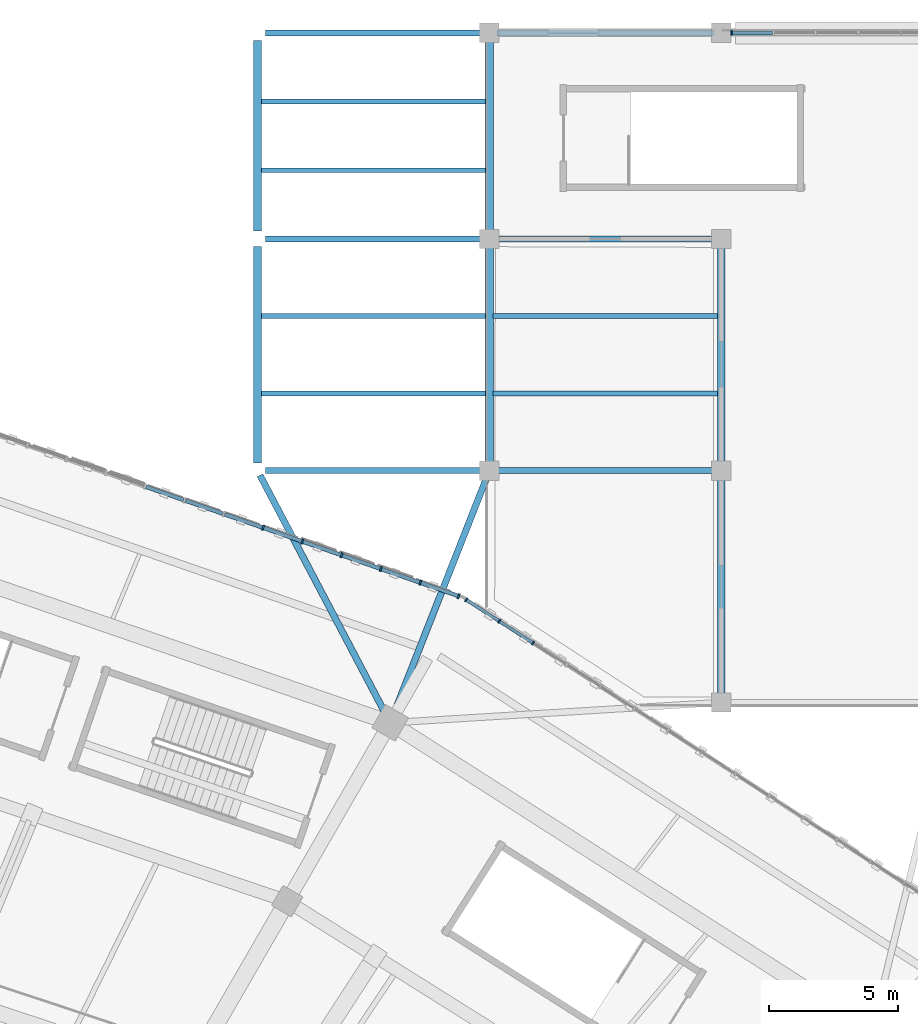
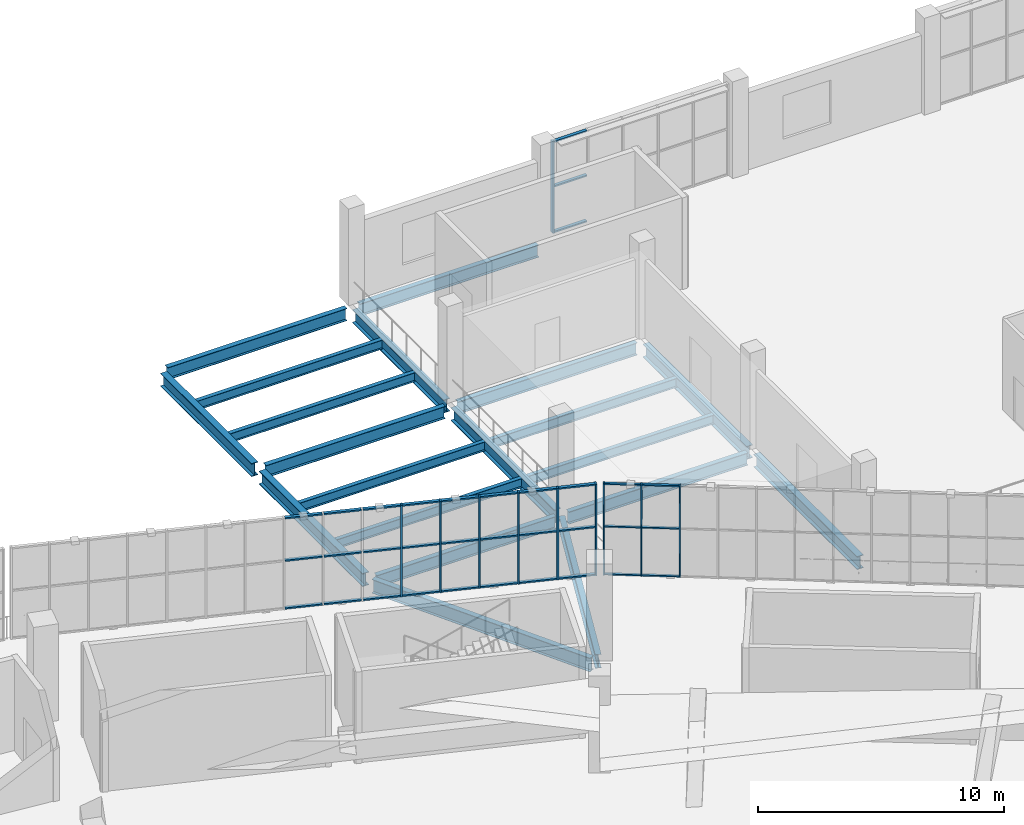
# One storey, part 64 of 152: 43 members, 20 beams, 3 elements without a shape of their own.
"""IFC4 building model written with IfcOpenShell, lengths in metres."""

from ifc_helpers import new_model, si_unit, direction, frame, origin, origin_2d, place, context, subcontext, project, spatial, rectangle, i_section, extrude, material, material_profile, profile_set, type_object, element, aggregate, save


model = new_model("IFC4")

# Units and contexts
model_context = context("Model", 3, precision=1e-05, world=origin(), true_north=direction((0.0, 1.0)))
body_context = subcontext(model_context, "Body", "Model", "MODEL_VIEW")
ifc_project = project(units=[si_unit("LENGTHUNIT", "METRE"), si_unit("AREAUNIT", "SQUARE_METRE"), si_unit("VOLUMEUNIT", "CUBIC_METRE"), si_unit("PLANEANGLEUNIT", "RADIAN"), si_unit("MASSUNIT", "GRAM", prefix="KILO")], contexts=[model_context])

# Site, building, storey
site_placement = place(None, origin())
site = spatial("IfcSite", under=ifc_project, at=site_placement, CompositionType="ELEMENT")
building_placement = place(site_placement, origin())
building = spatial("IfcBuilding", under=site, at=building_placement, Name="Zevraka Park Crest Stadium", CompositionType="ELEMENT")
storey_placement = place(building_placement, frame((0.0, 0.0, 15.0)))
storey = spatial("IfcBuildingStorey", under=building, at=storey_placement, Name="L03", CompositionType="ELEMENT", Elevation=15.0)

# Beams
ifc_material_1 = material(Name="Steel S355", Category="steel")
ifc_material_profile_1 = material_profile(ifc_material_1, i_section(OverallWidth=0.253662109375, OverallDepth=0.68359375, WebThickness=0.012451171875, FlangeThickness=0.01904296875, at=origin_2d()), Name="UKB 686x254x140")
ifc_profile_set_1 = profile_set([ifc_material_profile_1], Name="Steel S355")
beam_type_1 = type_object("IfcBeamType", Name="BG05", PredefinedType="BEAM", material=ifc_profile_set_1)
beam_1_placement = place(storey_placement, frame((152.093017578125, 166.822998046875, -0.649658203125), z_axis=(0.465623535035, -0.884982894536, 0.0), x_axis=(0.884982894536, 0.465623535035, 0.0)))
element("IfcBeam", 1, at=beam_1_placement, inside=storey, type_object=beam_type_1, Name="Wing Link Girder BG05 L03-17/U", PredefinedType="BEAM", context=body_context, shape_type="SweptSolid", body=[
    extrude(i_section(OverallWidth=0.253662109375, OverallDepth=0.68359375, WebThickness=0.012451171875, FlangeThickness=0.01904296875, at=origin_2d()), origin(), (0.0, 0.0, 1.0), 10.480224609375),
])
beam_2_placement = place(storey_placement, frame((160.927001953125, 166.81396484375, -0.649658203125), z_axis=(-0.366068857267, -0.930587766812, 0.0), x_axis=(0.930587766812, -0.366068857267, 0.0)))
element("IfcBeam", 2, at=beam_2_placement, inside=storey, type_object=beam_type_1, Name="Wing Link Girder BG05 L03-18/U", PredefinedType="BEAM", context=body_context, shape_type="SweptSolid", body=[
    extrude(i_section(OverallWidth=0.253662109375, OverallDepth=0.68359375, WebThickness=0.012451171875, FlangeThickness=0.01904296875, at=origin_2d()), origin(), (0.0, 0.0, 1.0), 9.937744140625),
])
ifc_material_2 = material(Name="Steel S355", Category="steel")
ifc_material_profile_2 = material_profile(ifc_material_2, i_section(OverallWidth=0.300048828125, OverallDepth=0.64990234375, WebThickness=0.01611328125, FlangeThickness=0.031005859375, at=origin_2d()), Name="HEB 650")
ifc_profile_set_2 = profile_set([ifc_material_profile_2], Name="Steel S355")
beam_type_2 = type_object("IfcBeamType", Name="BG07", PredefinedType="BEAM", material=ifc_profile_set_2)
beam_3_placement = place(storey_placement, frame((152.0, 167.300048828125, -0.633056640625), z_axis=(0.0, 1.0, 0.0), x_axis=(-1.0, 0.0, 0.0)))
element("IfcBeam", 3, at=beam_3_placement, inside=storey, type_object=beam_type_2, Name="Wing Girder BG07 L03-17/UV", PredefinedType="BEAM", context=body_context, shape_type="SweptSolid", body=[
    extrude(i_section(OverallWidth=0.300048828125, OverallDepth=0.64990234375, WebThickness=0.01611328125, FlangeThickness=0.031005859375, at=origin_2d()), origin(), (0.0, 0.0, 1.0), 8.39990234375),
])
beam_4_placement = place(storey_placement, frame((152.0, 176.300048828125, -0.633056640625), z_axis=(0.0, 1.0, 0.0), x_axis=(-1.0, 0.0, 0.0)))
element("IfcBeam", 4, at=beam_4_placement, inside=storey, type_object=beam_type_2, Name="Wing Girder BG07 L03-17/VW", PredefinedType="BEAM", context=body_context, shape_type="SweptSolid", body=[
    extrude(i_section(OverallWidth=0.300048828125, OverallDepth=0.64990234375, WebThickness=0.01611328125, FlangeThickness=0.031005859375, at=origin_2d()), origin(), (0.0, 0.0, 1.0), 7.39990234375),
])
beam_5_placement = place(storey_placement, frame((161.0, 167.300048828125, -0.633056640625), z_axis=(0.0, 1.0, 0.0), x_axis=(-1.0, 0.0, 0.0)))
element("IfcBeam", 5, at=beam_5_placement, inside=storey, type_object=beam_type_2, Name="Wing Girder BG07 L03-18/UV", PredefinedType="BEAM", context=body_context, shape_type="SweptSolid", body=[
    extrude(i_section(OverallWidth=0.300048828125, OverallDepth=0.64990234375, WebThickness=0.01611328125, FlangeThickness=0.031005859375, at=origin_2d()), origin(), (0.0, 0.0, 1.0), 8.39990234375),
])
beam_6_placement = place(storey_placement, frame((161.0, 176.300048828125, -0.633056640625), z_axis=(0.0, 1.0, 0.0), x_axis=(-1.0, 0.0, 0.0)))
element("IfcBeam", 6, at=beam_6_placement, inside=storey, type_object=beam_type_2, Name="Wing Girder BG07 L03-18/VW", PredefinedType="BEAM", context=body_context, shape_type="SweptSolid", body=[
    extrude(i_section(OverallWidth=0.300048828125, OverallDepth=0.64990234375, WebThickness=0.01611328125, FlangeThickness=0.031005859375, at=origin_2d()), origin(), (0.0, 0.0, 1.0), 7.39990234375),
])
for number, where, z_axis, x_axis, name in (
    (7, (170.0, 158.300048828125, -0.633056640625), (0.0, 1.0, 0.0), (-1.0, 0.0, 0.0), "Wing Girder BG07 L03-19/TU"),
    (8, (170.0, 167.300048828125, -0.633056640625), (0.0, 1.0, 0.0), (-1.0, 0.0, 0.0), "Wing Girder BG07 L03-19/UV"),
):
    element("IfcBeam", number, at=place(storey_placement, frame(where, z_axis=z_axis, x_axis=x_axis)), inside=storey, type_object=beam_type_2, Name=name, PredefinedType="BEAM", context=body_context, shape_type="SweptSolid", body=[
        extrude(i_section(OverallWidth=0.300048828125, OverallDepth=0.64990234375, WebThickness=0.01611328125, FlangeThickness=0.031005859375, at=origin_2d()), origin(), (0.0, 0.0, 1.0), 8.39990234375),
    ])
ifc_material_3 = material(Name="Steel S355", Category="steel")
ifc_material_profile_3 = material_profile(ifc_material_3, i_section(OverallWidth=0.22900390625, OverallDepth=0.612060546875, WebThickness=0.011962890625, FlangeThickness=0.01953125, at=origin_2d()), Name="UKB 610x229x125")
ifc_profile_set_3 = profile_set([ifc_material_profile_3], Name="Steel S355")
beam_type_3 = type_object("IfcBeamType", Name="BG09", PredefinedType="BEAM", material=ifc_profile_set_3)
for number, where, z_axis, x_axis, name in (
    (9, (152.300048828125, 167.0, -0.614013671875), (1.0, 0.0, 0.0), (0.0, 1.0, 0.0), "Wing Girder BG09 L03-1718/U"),
    (10, (152.300048828125, 176.0, -0.614013671875), (1.0, 0.0, 0.0), (0.0, 1.0, 0.0), "Wing Girder BG09 L03-1718/V"),
    (11, (152.300048828125, 184.0, -0.614013671875), (1.0, 0.0, 0.0), (0.0, 1.0, 0.0), "Wing Girder BG09 L03-1718/W"),
    (12, (161.300048828125, 167.0, -0.614013671875), (1.0, 0.0, 0.0), (0.0, 1.0, 0.0), "Wing Girder BG09 L03-1819/U"),
    (13, (161.300048828125, 176.0, -0.614013671875), (1.0, 0.0, 0.0), (0.0, 1.0, 0.0), "Wing Girder BG09 L03-1819/V"),
    (14, (161.300048828125, 184.0, -0.614013671875), (1.0, 0.0, 0.0), (0.0, 1.0, 0.0), "Wing Girder BG09 L03-1819/W"),
):
    element("IfcBeam", number, at=place(storey_placement, frame(where, z_axis=z_axis, x_axis=x_axis)), inside=storey, type_object=beam_type_3, Name=name, PredefinedType="BEAM", context=body_context, shape_type="SweptSolid", body=[
        extrude(i_section(OverallWidth=0.22900390625, OverallDepth=0.612060546875, WebThickness=0.011962890625, FlangeThickness=0.01953125, at=origin_2d()), origin(), (0.0, 0.0, 1.0), 8.39990234375),
    ])

# Curtain wall, members
ifc_material_4 = material(Name="Anodised architectural aluminium and laminated safety glass", Category="aluminium")
curtain_wall_type_1 = type_object("IfcCurtainWallType", Name="CW13", PredefinedType="NOTDEFINED", material=ifc_material_4)
curtain_wall_1_placement = place(storey_placement, origin())
curtain_wall_1 = element("IfcCurtainWall", 15, at=curtain_wall_1_placement, inside=storey, type_object=curtain_wall_type_1, Name="Unitised Ring Curtain Wall CW13 L03-03", PredefinedType="NOTDEFINED")
ifc_material_5 = material(Name="Anodised architectural aluminium", Category="aluminium")
ifc_material_profile_4 = material_profile(ifc_material_5, rectangle(XDim=0.159912109375, YDim=0.06005859375, at=origin_2d()), Name="ALU MULLION 160x60")
ifc_profile_set_4 = profile_set([ifc_material_profile_4], Name="Anodised architectural aluminium")
member_type_1 = type_object("IfcMemberType", Name="CM01", PredefinedType="MULLION", material=ifc_profile_set_4)
member_1_placement = place(storey_placement, frame((162.693603515625, 160.30908203125, 0.0), z_axis=(0.0, 0.0, 1.0), x_axis=(-0.543469160232, -0.839429134517, 0.0)))
member_1 = element("IfcMember", 16, at=member_1_placement, type_object=member_type_1, Name="CW13 mullion 14", PredefinedType="MULLION", context=body_context, shape_type="SweptSolid", body=[
    extrude(rectangle(XDim=0.159912109375, YDim=0.06005859375, at=origin_2d()), origin(), (0.0, 0.0, 1.0), 4.5400390625),
])
member_2_placement = place(storey_placement, frame((161.3837890625, 161.156982421875, 0.0), z_axis=(0.0, 0.0, 1.0), x_axis=(-0.543469160232, -0.839429134517, 0.0)))
member_2 = element("IfcMember", 17, at=member_2_placement, type_object=member_type_1, Name="CW13 mullion 15", PredefinedType="MULLION", context=body_context, shape_type="SweptSolid", body=[
    extrude(rectangle(XDim=0.159912109375, YDim=0.06005859375, at=origin_2d()), origin(), (0.0, 0.0, 1.0), 4.5400390625),
])
member_3_placement = place(storey_placement, frame((160.09912109375, 161.98876953125, 0.0), z_axis=(0.0, 0.0, 1.0), x_axis=(-0.543469160232, -0.839429134517, 0.0)))
member_3 = element("IfcMember", 18, at=member_3_placement, type_object=member_type_1, Name="CW13 mullion 16", PredefinedType="MULLION", context=body_context, shape_type="SweptSolid", body=[
    extrude(rectangle(XDim=0.159912109375, YDim=0.06005859375, at=origin_2d()), origin(), (0.0, 0.0, 1.0), 4.5400390625),
])

ifc_material_6 = material(Name="Anodised architectural aluminium and laminated safety glass", Category="aluminium")
curtain_wall_type_2 = type_object("IfcCurtainWallType", Name="CW12", PredefinedType="NOTDEFINED", material=ifc_material_6)
curtain_wall_2_placement = place(storey_placement, origin())
curtain_wall_2 = element("IfcCurtainWall", 19, at=curtain_wall_2_placement, inside=storey, type_object=curtain_wall_type_2, Name="Unitised Ring Curtain Wall CW12 L03-04", PredefinedType="NOTDEFINED")
ifc_material_7 = material(Name="Anodised architectural aluminium", Category="aluminium")
ifc_material_profile_5 = material_profile(ifc_material_7, rectangle(XDim=0.199951171875, YDim=0.070068359375, at=origin_2d()), Name="ALU MULLION 200x70")
ifc_profile_set_5 = profile_set([ifc_material_profile_5], Name="Anodised architectural aluminium")
member_type_2 = type_object("IfcMemberType", Name="CM03", PredefinedType="MULLION", material=ifc_profile_set_5)
member_4_placement = place(storey_placement, frame((159.807861328125, 162.130615234375, 0.0), z_axis=(0.0, 0.0, 1.0), x_axis=(-0.329916814701, -0.944010008092, 0.0)))
member_4 = element("IfcMember", 20, at=member_4_placement, type_object=member_type_2, Name="CW12 mullion 1", PredefinedType="MULLION", context=body_context, shape_type="SweptSolid", body=[
    extrude(rectangle(XDim=0.199951171875, YDim=0.070068359375, at=origin_2d()), origin(), (0.0, 0.0, 1.0), 4.5400390625),
])
member_5_placement = place(storey_placement, frame((158.315185546875, 162.65234375, 0.0), z_axis=(0.0, 0.0, 1.0), x_axis=(-0.329916814701, -0.944010008092, 0.0)))
member_5 = element("IfcMember", 21, at=member_5_placement, type_object=member_type_2, Name="CW12 mullion 2", PredefinedType="MULLION", context=body_context, shape_type="SweptSolid", body=[
    extrude(rectangle(XDim=0.199951171875, YDim=0.070068359375, at=origin_2d()), origin(), (0.0, 0.0, 1.0), 4.5400390625),
])
member_6_placement = place(storey_placement, frame((156.789306640625, 163.185546875, 0.0), z_axis=(0.0, 0.0, 1.0), x_axis=(-0.329916814701, -0.944010008092, 0.0)))
member_6 = element("IfcMember", 22, at=member_6_placement, type_object=member_type_2, Name="CW12 mullion 3", PredefinedType="MULLION", context=body_context, shape_type="SweptSolid", body=[
    extrude(rectangle(XDim=0.199951171875, YDim=0.070068359375, at=origin_2d()), origin(), (0.0, 0.0, 1.0), 4.5400390625),
])
member_7_placement = place(storey_placement, frame((155.263427734375, 163.71875, 0.0), z_axis=(0.0, 0.0, 1.0), x_axis=(-0.329916814701, -0.944010008092, 0.0)))
member_7 = element("IfcMember", 23, at=member_7_placement, type_object=member_type_2, Name="CW12 mullion 4", PredefinedType="MULLION", context=body_context, shape_type="SweptSolid", body=[
    extrude(rectangle(XDim=0.199951171875, YDim=0.070068359375, at=origin_2d()), origin(), (0.0, 0.0, 1.0), 4.5400390625),
])
member_8_placement = place(storey_placement, frame((153.737548828125, 164.251953125, 0.0), z_axis=(0.0, 0.0, 1.0), x_axis=(-0.329916814701, -0.944010008092, 0.0)))
member_8 = element("IfcMember", 24, at=member_8_placement, type_object=member_type_2, Name="CW12 mullion 5", PredefinedType="MULLION", context=body_context, shape_type="SweptSolid", body=[
    extrude(rectangle(XDim=0.199951171875, YDim=0.070068359375, at=origin_2d()), origin(), (0.0, 0.0, 1.0), 4.5400390625),
])
member_9_placement = place(storey_placement, frame((152.211669921875, 164.785400390625, 0.0), z_axis=(0.0, 0.0, 1.0), x_axis=(-0.329916814701, -0.944010008092, 0.0)))
member_9 = element("IfcMember", 25, at=member_9_placement, type_object=member_type_2, Name="CW12 mullion 6", PredefinedType="MULLION", context=body_context, shape_type="SweptSolid", body=[
    extrude(rectangle(XDim=0.199951171875, YDim=0.070068359375, at=origin_2d()), origin(), (0.0, 0.0, 1.0), 4.5400390625),
])

# Curtain wall, member
ifc_material_8 = material(Name="Anodised architectural aluminium and laminated safety glass", Category="aluminium")
curtain_wall_type_3 = type_object("IfcCurtainWallType", Name="CW30", PredefinedType="NOTDEFINED", material=ifc_material_8)
curtain_wall_3_placement = place(storey_placement, origin())
curtain_wall_3 = element("IfcCurtainWall", 26, at=curtain_wall_3_placement, inside=storey, type_object=curtain_wall_type_3, Name="Wing Curtain Wall CW30 L03-NGATE-N3-2", PredefinedType="NOTDEFINED")
member_10_placement = place(storey_placement, frame((170.39990234375, 184.0, 0.0), z_axis=(0.0, 0.0, 1.0), x_axis=(0.0, 1.0, 0.0)))
member_10 = element("IfcMember", 27, at=member_10_placement, type_object=member_type_2, Name="CW30 mullion 1", PredefinedType="MULLION", context=body_context, shape_type="SweptSolid", body=[
    extrude(rectangle(XDim=0.199951171875, YDim=0.070068359375, at=origin_2d()), origin(), (0.0, 0.0, 1.0), 4.5400390625),
])

# Member
ifc_material_9 = material(Name="Anodised architectural aluminium", Category="aluminium")
ifc_material_profile_6 = material_profile(ifc_material_9, rectangle(XDim=0.1201171875, YDim=0.06005859375, at=origin_2d()), Name="ALU TRANSOM 120x60")
ifc_profile_set_6 = profile_set([ifc_material_profile_6], Name="Anodised architectural aluminium")
member_type_3 = type_object("IfcMemberType", Name="CT01", PredefinedType="USERDEFINED", material=ifc_profile_set_6)
member_11_placement = place(storey_placement, frame((162.66845703125, 160.3251953125, 0.030029296875), z_axis=(-0.839434801762, 0.543460406645, 0.0), x_axis=(-0.543460406645, -0.839434801762, 0.0)))
member_11 = element("IfcMember", 28, at=member_11_placement, type_object=member_type_3, Name="CW13 transom 14.1", ObjectType="TRANSOM", PredefinedType="USERDEFINED", context=body_context, shape_type="SweptSolid", body=[
    extrude(rectangle(XDim=0.1201171875, YDim=0.06005859375, at=origin_2d()), origin(), (0.0, 0.0, 1.0), 1.50048828125),
])

member_12_placement = place(storey_placement, frame((162.66845703125, 160.3251953125, 2.39990234375), z_axis=(-0.839434801762, 0.543460406645, 0.0), x_axis=(-0.543460406645, -0.839434801762, 0.0)))
member_12 = element("IfcMember", 29, at=member_12_placement, type_object=member_type_3, Name="CW13 transom 14.2", ObjectType="TRANSOM", PredefinedType="USERDEFINED", context=body_context, shape_type="SweptSolid", body=[
    extrude(rectangle(XDim=0.1201171875, YDim=0.06005859375, at=origin_2d()), origin(), (0.0, 0.0, 1.0), 1.50048828125),
])

member_13_placement = place(storey_placement, frame((162.66845703125, 160.3251953125, 4.510009765625), z_axis=(-0.839434801762, 0.543460406645, 0.0), x_axis=(-0.543460406645, -0.839434801762, 0.0)))
member_13 = element("IfcMember", 30, at=member_13_placement, type_object=member_type_3, Name="CW13 transom 14.3", ObjectType="TRANSOM", PredefinedType="USERDEFINED", context=body_context, shape_type="SweptSolid", body=[
    extrude(rectangle(XDim=0.1201171875, YDim=0.06005859375, at=origin_2d()), origin(), (0.0, 0.0, 1.0), 1.50048828125),
])

member_14_placement = place(storey_placement, frame((161.358642578125, 161.17333984375, 0.030029296875), z_axis=(-0.839458776454, 0.543423373286, 0.0), x_axis=(-0.543423373286, -0.839458776454, 0.0)))
member_14 = element("IfcMember", 31, at=member_14_placement, type_object=member_type_3, Name="CW13 transom 15.1", ObjectType="TRANSOM", PredefinedType="USERDEFINED", context=body_context, shape_type="SweptSolid", body=[
    extrude(rectangle(XDim=0.1201171875, YDim=0.06005859375, at=origin_2d()), origin(), (0.0, 0.0, 1.0), 1.470458984375),
])

member_15_placement = place(storey_placement, frame((161.358642578125, 161.17333984375, 2.39990234375), z_axis=(-0.839458776454, 0.543423373286, 0.0), x_axis=(-0.543423373286, -0.839458776454, 0.0)))
member_15 = element("IfcMember", 32, at=member_15_placement, type_object=member_type_3, Name="CW13 transom 15.2", ObjectType="TRANSOM", PredefinedType="USERDEFINED", context=body_context, shape_type="SweptSolid", body=[
    extrude(rectangle(XDim=0.1201171875, YDim=0.06005859375, at=origin_2d()), origin(), (0.0, 0.0, 1.0), 1.470458984375),
])

member_16_placement = place(storey_placement, frame((161.358642578125, 161.17333984375, 4.510009765625), z_axis=(-0.839458776454, 0.543423373286, 0.0), x_axis=(-0.543423373286, -0.839458776454, 0.0)))
member_16 = element("IfcMember", 33, at=member_16_placement, type_object=member_type_3, Name="CW13 transom 15.3", ObjectType="TRANSOM", PredefinedType="USERDEFINED", context=body_context, shape_type="SweptSolid", body=[
    extrude(rectangle(XDim=0.1201171875, YDim=0.06005859375, at=origin_2d()), origin(), (0.0, 0.0, 1.0), 1.470458984375),
])

aggregate(curtain_wall_1, [member_1, member_2, member_3, member_11, member_12, member_13, member_14, member_15, member_16])

ifc_material_10 = material(Name="Anodised architectural aluminium", Category="aluminium")
ifc_material_profile_7 = material_profile(ifc_material_10, rectangle(XDim=0.14990234375, YDim=0.070068359375, at=origin_2d()), Name="ALU TRANSOM 150x70")
ifc_profile_set_7 = profile_set([ifc_material_profile_7], Name="Anodised architectural aluminium")
member_type_4 = type_object("IfcMemberType", Name="CT03", PredefinedType="USERDEFINED", material=ifc_profile_set_7)
member_17_placement = place(storey_placement, frame((159.77490234375, 162.14208984375, 0.034912109375), z_axis=(-0.944029481665, 0.329861088563, 0.0), x_axis=(-0.329861088563, -0.944029481665, 0.0)))
member_17 = element("IfcMember", 34, at=member_17_placement, type_object=member_type_4, Name="CW12 transom 1.1", ObjectType="TRANSOM", PredefinedType="USERDEFINED", context=body_context, shape_type="SweptSolid", body=[
    extrude(rectangle(XDim=0.14990234375, YDim=0.070068359375, at=origin_2d()), origin(), (0.0, 0.0, 1.0), 1.51123046875),
])

member_18_placement = place(storey_placement, frame((159.77490234375, 162.14208984375, 2.39990234375), z_axis=(-0.944029481665, 0.329861088563, 0.0), x_axis=(-0.329861088563, -0.944029481665, 0.0)))
member_18 = element("IfcMember", 35, at=member_18_placement, type_object=member_type_4, Name="CW12 transom 1.2", ObjectType="TRANSOM", PredefinedType="USERDEFINED", context=body_context, shape_type="SweptSolid", body=[
    extrude(rectangle(XDim=0.14990234375, YDim=0.070068359375, at=origin_2d()), origin(), (0.0, 0.0, 1.0), 1.51123046875),
])

member_19_placement = place(storey_placement, frame((159.77490234375, 162.14208984375, 4.5048828125), z_axis=(-0.944029481665, 0.329861088563, 0.0), x_axis=(-0.329861088563, -0.944029481665, 0.0)))
member_19 = element("IfcMember", 36, at=member_19_placement, type_object=member_type_4, Name="CW12 transom 1.3", ObjectType="TRANSOM", PredefinedType="USERDEFINED", context=body_context, shape_type="SweptSolid", body=[
    extrude(rectangle(XDim=0.14990234375, YDim=0.070068359375, at=origin_2d()), origin(), (0.0, 0.0, 1.0), 1.51123046875),
])

member_20_placement = place(storey_placement, frame((158.281982421875, 162.663818359375, 0.034912109375), z_axis=(-0.943988739301, 0.329977666021, 0.0), x_axis=(-0.329977666021, -0.943988739301, 0.0)))
member_20 = element("IfcMember", 37, at=member_20_placement, type_object=member_type_4, Name="CW12 transom 2.1", ObjectType="TRANSOM", PredefinedType="USERDEFINED", context=body_context, shape_type="SweptSolid", body=[
    extrude(rectangle(XDim=0.14990234375, YDim=0.070068359375, at=origin_2d()), origin(), (0.0, 0.0, 1.0), 1.54638671875),
])

member_21_placement = place(storey_placement, frame((158.281982421875, 162.663818359375, 2.39990234375), z_axis=(-0.943988739301, 0.329977666021, 0.0), x_axis=(-0.329977666021, -0.943988739301, 0.0)))
member_21 = element("IfcMember", 38, at=member_21_placement, type_object=member_type_4, Name="CW12 transom 2.2", ObjectType="TRANSOM", PredefinedType="USERDEFINED", context=body_context, shape_type="SweptSolid", body=[
    extrude(rectangle(XDim=0.14990234375, YDim=0.070068359375, at=origin_2d()), origin(), (0.0, 0.0, 1.0), 1.54638671875),
])

member_22_placement = place(storey_placement, frame((158.281982421875, 162.663818359375, 4.5048828125), z_axis=(-0.943988739301, 0.329977666021, 0.0), x_axis=(-0.329977666021, -0.943988739301, 0.0)))
member_22 = element("IfcMember", 39, at=member_22_placement, type_object=member_type_4, Name="CW12 transom 2.3", ObjectType="TRANSOM", PredefinedType="USERDEFINED", context=body_context, shape_type="SweptSolid", body=[
    extrude(rectangle(XDim=0.14990234375, YDim=0.070068359375, at=origin_2d()), origin(), (0.0, 0.0, 1.0), 1.54638671875),
])

member_23_placement = place(storey_placement, frame((156.75634765625, 163.197021484375, 0.034912109375), z_axis=(-0.944005926705, 0.329928492778, 0.0), x_axis=(-0.329928492778, -0.944005926705, 0.0)))
member_23 = element("IfcMember", 40, at=member_23_placement, type_object=member_type_4, Name="CW12 transom 3.1", ObjectType="TRANSOM", PredefinedType="USERDEFINED", context=body_context, shape_type="SweptSolid", body=[
    extrude(rectangle(XDim=0.14990234375, YDim=0.070068359375, at=origin_2d()), origin(), (0.0, 0.0, 1.0), 1.546630859375),
])

member_24_placement = place(storey_placement, frame((156.75634765625, 163.197021484375, 2.39990234375), z_axis=(-0.944005926705, 0.329928492778, 0.0), x_axis=(-0.329928492778, -0.944005926705, 0.0)))
member_24 = element("IfcMember", 41, at=member_24_placement, type_object=member_type_4, Name="CW12 transom 3.2", ObjectType="TRANSOM", PredefinedType="USERDEFINED", context=body_context, shape_type="SweptSolid", body=[
    extrude(rectangle(XDim=0.14990234375, YDim=0.070068359375, at=origin_2d()), origin(), (0.0, 0.0, 1.0), 1.546630859375),
])

member_25_placement = place(storey_placement, frame((156.75634765625, 163.197021484375, 4.5048828125), z_axis=(-0.944005926705, 0.329928492778, 0.0), x_axis=(-0.329928492778, -0.944005926705, 0.0)))
member_25 = element("IfcMember", 42, at=member_25_placement, type_object=member_type_4, Name="CW12 transom 3.3", ObjectType="TRANSOM", PredefinedType="USERDEFINED", context=body_context, shape_type="SweptSolid", body=[
    extrude(rectangle(XDim=0.14990234375, YDim=0.070068359375, at=origin_2d()), origin(), (0.0, 0.0, 1.0), 1.546630859375),
])

member_26_placement = place(storey_placement, frame((155.23046875, 163.73046875, 0.034912109375), z_axis=(-0.944055085145, 0.329787804827, 0.0), x_axis=(-0.329787804827, -0.944055085145, 0.0)))
member_26 = element("IfcMember", 43, at=member_26_placement, type_object=member_type_4, Name="CW12 transom 4.1", ObjectType="TRANSOM", PredefinedType="USERDEFINED", context=body_context, shape_type="SweptSolid", body=[
    extrude(rectangle(XDim=0.14990234375, YDim=0.070068359375, at=origin_2d()), origin(), (0.0, 0.0, 1.0), 1.54638671875),
])

member_27_placement = place(storey_placement, frame((155.23046875, 163.73046875, 2.39990234375), z_axis=(-0.944055085145, 0.329787804827, 0.0), x_axis=(-0.329787804827, -0.944055085145, 0.0)))
member_27 = element("IfcMember", 44, at=member_27_placement, type_object=member_type_4, Name="CW12 transom 4.2", ObjectType="TRANSOM", PredefinedType="USERDEFINED", context=body_context, shape_type="SweptSolid", body=[
    extrude(rectangle(XDim=0.14990234375, YDim=0.070068359375, at=origin_2d()), origin(), (0.0, 0.0, 1.0), 1.54638671875),
])

member_28_placement = place(storey_placement, frame((155.23046875, 163.73046875, 4.5048828125), z_axis=(-0.944055085145, 0.329787804827, 0.0), x_axis=(-0.329787804827, -0.944055085145, 0.0)))
member_28 = element("IfcMember", 45, at=member_28_placement, type_object=member_type_4, Name="CW12 transom 4.3", ObjectType="TRANSOM", PredefinedType="USERDEFINED", context=body_context, shape_type="SweptSolid", body=[
    extrude(rectangle(XDim=0.14990234375, YDim=0.070068359375, at=origin_2d()), origin(), (0.0, 0.0, 1.0), 1.54638671875),
])

member_29_placement = place(storey_placement, frame((153.70458984375, 164.263671875, 0.034912109375), z_axis=(-0.944055085145, 0.329787804827, 0.0), x_axis=(-0.329787804827, -0.944055085145, 0.0)))
member_29 = element("IfcMember", 46, at=member_29_placement, type_object=member_type_4, Name="CW12 transom 5.1", ObjectType="TRANSOM", PredefinedType="USERDEFINED", context=body_context, shape_type="SweptSolid", body=[
    extrude(rectangle(XDim=0.14990234375, YDim=0.070068359375, at=origin_2d()), origin(), (0.0, 0.0, 1.0), 1.54638671875),
])

member_30_placement = place(storey_placement, frame((153.70458984375, 164.263671875, 2.39990234375), z_axis=(-0.944055085145, 0.329787804827, 0.0), x_axis=(-0.329787804827, -0.944055085145, 0.0)))
member_30 = element("IfcMember", 47, at=member_30_placement, type_object=member_type_4, Name="CW12 transom 5.2", ObjectType="TRANSOM", PredefinedType="USERDEFINED", context=body_context, shape_type="SweptSolid", body=[
    extrude(rectangle(XDim=0.14990234375, YDim=0.070068359375, at=origin_2d()), origin(), (0.0, 0.0, 1.0), 1.54638671875),
])

member_31_placement = place(storey_placement, frame((153.70458984375, 164.263671875, 4.5048828125), z_axis=(-0.944055085145, 0.329787804827, 0.0), x_axis=(-0.329787804827, -0.944055085145, 0.0)))
member_31 = element("IfcMember", 48, at=member_31_placement, type_object=member_type_4, Name="CW12 transom 5.3", ObjectType="TRANSOM", PredefinedType="USERDEFINED", context=body_context, shape_type="SweptSolid", body=[
    extrude(rectangle(XDim=0.14990234375, YDim=0.070068359375, at=origin_2d()), origin(), (0.0, 0.0, 1.0), 1.54638671875),
])

member_32_placement = place(storey_placement, frame((152.1787109375, 164.796875, 0.034912109375), z_axis=(-0.944005926705, 0.329928492778, 0.0), x_axis=(-0.329928492778, -0.944005926705, 0.0)))
member_32 = element("IfcMember", 49, at=member_32_placement, type_object=member_type_4, Name="CW12 transom 6.1", ObjectType="TRANSOM", PredefinedType="USERDEFINED", context=body_context, shape_type="SweptSolid", body=[
    extrude(rectangle(XDim=0.14990234375, YDim=0.070068359375, at=origin_2d()), origin(), (0.0, 0.0, 1.0), 1.546630859375),
])

member_33_placement = place(storey_placement, frame((152.1787109375, 164.796875, 2.39990234375), z_axis=(-0.944005926705, 0.329928492778, 0.0), x_axis=(-0.329928492778, -0.944005926705, 0.0)))
member_33 = element("IfcMember", 50, at=member_33_placement, type_object=member_type_4, Name="CW12 transom 6.2", ObjectType="TRANSOM", PredefinedType="USERDEFINED", context=body_context, shape_type="SweptSolid", body=[
    extrude(rectangle(XDim=0.14990234375, YDim=0.070068359375, at=origin_2d()), origin(), (0.0, 0.0, 1.0), 1.546630859375),
])

member_34_placement = place(storey_placement, frame((152.1787109375, 164.796875, 4.5048828125), z_axis=(-0.944005926705, 0.329928492778, 0.0), x_axis=(-0.329928492778, -0.944005926705, 0.0)))
member_34 = element("IfcMember", 51, at=member_34_placement, type_object=member_type_4, Name="CW12 transom 6.3", ObjectType="TRANSOM", PredefinedType="USERDEFINED", context=body_context, shape_type="SweptSolid", body=[
    extrude(rectangle(XDim=0.14990234375, YDim=0.070068359375, at=origin_2d()), origin(), (0.0, 0.0, 1.0), 1.546630859375),
])

member_35_placement = place(storey_placement, frame((150.65283203125, 165.330078125, 0.034912109375), z_axis=(-0.944005926705, 0.329928492778, 0.0), x_axis=(-0.329928492778, -0.944005926705, 0.0)))
member_35 = element("IfcMember", 52, at=member_35_placement, type_object=member_type_4, Name="CW12 transom 7.1", ObjectType="TRANSOM", PredefinedType="USERDEFINED", context=body_context, shape_type="SweptSolid", body=[
    extrude(rectangle(XDim=0.14990234375, YDim=0.070068359375, at=origin_2d()), origin(), (0.0, 0.0, 1.0), 1.546630859375),
])

member_36_placement = place(storey_placement, frame((150.65283203125, 165.330078125, 2.39990234375), z_axis=(-0.944005926705, 0.329928492778, 0.0), x_axis=(-0.329928492778, -0.944005926705, 0.0)))
member_36 = element("IfcMember", 53, at=member_36_placement, type_object=member_type_4, Name="CW12 transom 7.2", ObjectType="TRANSOM", PredefinedType="USERDEFINED", context=body_context, shape_type="SweptSolid", body=[
    extrude(rectangle(XDim=0.14990234375, YDim=0.070068359375, at=origin_2d()), origin(), (0.0, 0.0, 1.0), 1.546630859375),
])

member_37_placement = place(storey_placement, frame((150.65283203125, 165.330078125, 4.5048828125), z_axis=(-0.944005926705, 0.329928492778, 0.0), x_axis=(-0.329928492778, -0.944005926705, 0.0)))
member_37 = element("IfcMember", 54, at=member_37_placement, type_object=member_type_4, Name="CW12 transom 7.3", ObjectType="TRANSOM", PredefinedType="USERDEFINED", context=body_context, shape_type="SweptSolid", body=[
    extrude(rectangle(XDim=0.14990234375, YDim=0.070068359375, at=origin_2d()), origin(), (0.0, 0.0, 1.0), 1.546630859375),
])

member_38_placement = place(storey_placement, frame((149.126953125, 165.863525390625, 0.034912109375), z_axis=(-0.944055085145, 0.329787804827, 0.0), x_axis=(-0.329787804827, -0.944055085145, 0.0)))
member_38 = element("IfcMember", 55, at=member_38_placement, type_object=member_type_4, Name="CW12 transom 8.1", ObjectType="TRANSOM", PredefinedType="USERDEFINED", context=body_context, shape_type="SweptSolid", body=[
    extrude(rectangle(XDim=0.14990234375, YDim=0.070068359375, at=origin_2d()), origin(), (0.0, 0.0, 1.0), 1.54638671875),
])

member_39_placement = place(storey_placement, frame((149.126953125, 165.863525390625, 2.39990234375), z_axis=(-0.944055085145, 0.329787804827, 0.0), x_axis=(-0.329787804827, -0.944055085145, 0.0)))
member_39 = element("IfcMember", 56, at=member_39_placement, type_object=member_type_4, Name="CW12 transom 8.2", ObjectType="TRANSOM", PredefinedType="USERDEFINED", context=body_context, shape_type="SweptSolid", body=[
    extrude(rectangle(XDim=0.14990234375, YDim=0.070068359375, at=origin_2d()), origin(), (0.0, 0.0, 1.0), 1.54638671875),
])

member_40_placement = place(storey_placement, frame((149.126953125, 165.863525390625, 4.5048828125), z_axis=(-0.944055085145, 0.329787804827, 0.0), x_axis=(-0.329787804827, -0.944055085145, 0.0)))
member_40 = element("IfcMember", 57, at=member_40_placement, type_object=member_type_4, Name="CW12 transom 8.3", ObjectType="TRANSOM", PredefinedType="USERDEFINED", context=body_context, shape_type="SweptSolid", body=[
    extrude(rectangle(XDim=0.14990234375, YDim=0.070068359375, at=origin_2d()), origin(), (0.0, 0.0, 1.0), 1.54638671875),
])

aggregate(curtain_wall_2, [member_4, member_5, member_6, member_7, member_8, member_9, member_17, member_18, member_19, member_20, member_21, member_22, member_23, member_24, member_25, member_26, member_27, member_28, member_29, member_30, member_31, member_32, member_33, member_34, member_35, member_36, member_37, member_38, member_39, member_40])

member_41_placement = place(storey_placement, frame((170.43505859375, 184.0, 0.034912109375), z_axis=(1.0, 0.0, 0.0), x_axis=(0.0, 1.0, 0.0)))
member_41 = element("IfcMember", 58, at=member_41_placement, type_object=member_type_4, Name="CW30 transom 1.1", ObjectType="TRANSOM", PredefinedType="USERDEFINED", context=body_context, shape_type="SweptSolid", body=[
    extrude(rectangle(XDim=0.14990234375, YDim=0.070068359375, at=origin_2d()), origin(), (0.0, 0.0, 1.0), 1.548828125),
])

member_42_placement = place(storey_placement, frame((170.43505859375, 184.0, 2.300048828125), z_axis=(1.0, 0.0, 0.0), x_axis=(0.0, 1.0, 0.0)))
member_42 = element("IfcMember", 59, at=member_42_placement, type_object=member_type_4, Name="CW30 transom 1.2", ObjectType="TRANSOM", PredefinedType="USERDEFINED", context=body_context, shape_type="SweptSolid", body=[
    extrude(rectangle(XDim=0.14990234375, YDim=0.070068359375, at=origin_2d()), origin(), (0.0, 0.0, 1.0), 1.548828125),
])

member_43_placement = place(storey_placement, frame((170.43505859375, 184.0, 4.5048828125), z_axis=(1.0, 0.0, 0.0), x_axis=(0.0, 1.0, 0.0)))
member_43 = element("IfcMember", 60, at=member_43_placement, type_object=member_type_4, Name="CW30 transom 1.3", ObjectType="TRANSOM", PredefinedType="USERDEFINED", context=body_context, shape_type="SweptSolid", body=[
    extrude(rectangle(XDim=0.14990234375, YDim=0.070068359375, at=origin_2d()), origin(), (0.0, 0.0, 1.0), 1.548828125),
])

aggregate(curtain_wall_3, [member_10, member_41, member_42, member_43])

# Beams
ifc_material_11 = material(Name="Steel S355", Category="steel")
ifc_material_profile_8 = material_profile(ifc_material_11, i_section(OverallWidth=0.18994140625, OverallDepth=0.45703125, WebThickness=0.009033203125, FlangeThickness=0.014404296875, at=origin_2d()), Name="UKB 457x191x74")
ifc_profile_set_8 = profile_set([ifc_material_profile_8], Name="Steel S355")
beam_type_4 = type_object("IfcBeamType", Name="SJ12", PredefinedType="JOIST", material=ifc_profile_set_8)
for number, where, z_axis, x_axis, name in (
    (61, (152.14501953125, 170.0, -0.53857421875), (1.0, 0.0, 0.0), (0.0, 1.0, 0.0), "Wing Joist SJ12 L03-17/U-1"),
    (62, (152.14501953125, 173.0, -0.53857421875), (1.0, 0.0, 0.0), (0.0, 1.0, 0.0), "Wing Joist SJ12 L03-17/U-2"),
    (63, (152.14501953125, 178.6669921875, -0.53857421875), (1.0, 0.0, 0.0), (0.0, 1.0, 0.0), "Wing Joist SJ12 L03-17/V-1"),
    (64, (152.14501953125, 181.3330078125, -0.53857421875), (1.0, 0.0, 0.0), (0.0, 1.0, 0.0), "Wing Joist SJ12 L03-17/V-2"),
    (65, (161.14501953125, 170.0, -0.53857421875), (1.0, 0.0, 0.0), (0.0, 1.0, 0.0), "Wing Joist SJ12 L03-18/U-1"),
    (66, (161.14501953125, 173.0, -0.53857421875), (1.0, 0.0, 0.0), (0.0, 1.0, 0.0), "Wing Joist SJ12 L03-18/U-2"),
):
    element("IfcBeam", number, at=place(storey_placement, frame(where, z_axis=z_axis, x_axis=x_axis)), inside=storey, type_object=beam_type_4, Name=name, PredefinedType="JOIST", context=body_context, shape_type="SweptSolid", body=[
        extrude(i_section(OverallWidth=0.18994140625, OverallDepth=0.45703125, WebThickness=0.009033203125, FlangeThickness=0.014404296875, at=origin_2d()), origin(), (0.0, 0.0, 1.0), 8.7099609375),
    ])

save(model, "model.ifc")
